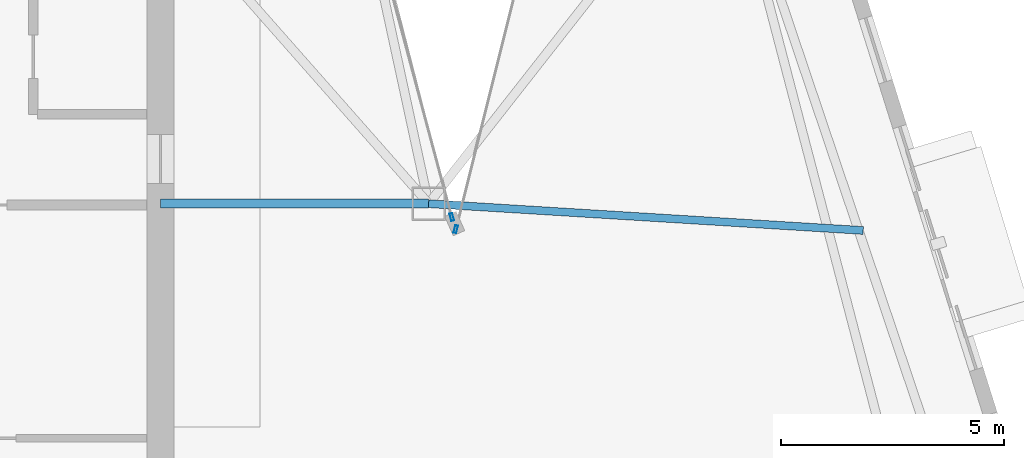
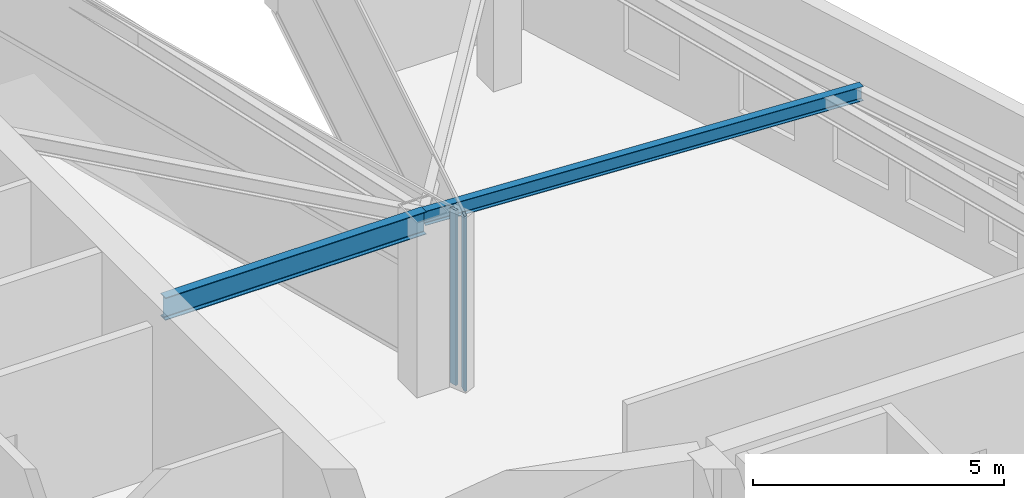
# One storey, part 10 of 25: 2 beams, 2 members, 2 elements without a shape of their own.
"""IFC4 building model written with IfcOpenShell, lengths in metres."""

from ifc_helpers import new_model, si_unit, direction, frame, origin, origin_2d, place, context, subcontext, project, spatial, hollow_rectangle, i_section, extrude, material, layer, layer_set, material_profile, profile_set, type_object, element, aggregate, save


model = new_model("IFC4")

# Units and contexts
model_context = context("Model", 3, precision=1e-05, world=origin(), true_north=direction((0.0, 1.0)))
body_context = subcontext(model_context, "Body", "Model", "MODEL_VIEW")
ifc_project = project(units=[si_unit("LENGTHUNIT", "METRE"), si_unit("AREAUNIT", "SQUARE_METRE"), si_unit("VOLUMEUNIT", "CUBIC_METRE"), si_unit("PLANEANGLEUNIT", "RADIAN"), si_unit("MASSUNIT", "GRAM", prefix="KILO")], contexts=[model_context])

# Site, building, storey
site_placement = place(None, origin())
site = spatial("IfcSite", under=ifc_project, at=site_placement, CompositionType="ELEMENT")
building_placement = place(site_placement, origin())
building = spatial("IfcBuilding", under=site, at=building_placement, Name="Calvorn Quay Hotel", CompositionType="ELEMENT")
storey_placement = place(building_placement, frame((0.0, 0.0, 311.5)))
storey = spatial("IfcBuildingStorey", under=building, at=storey_placement, Name="L77", CompositionType="ELEMENT", Elevation=311.5)

# Beams
ifc_material_1 = material(Name="Steel Q355B", Category="steel")
ifc_material_profile_1 = material_profile(ifc_material_1, i_section(OverallWidth=0.199951171875, OverallDepth=0.550048828125, WebThickness=0.010009765625, FlangeThickness=0.01611328125, FilletRadius=0.01806640625, at=origin_2d()), Name="HN550x200x10x16")
ifc_profile_set_1 = profile_set([ifc_material_profile_1], Name="Steel Q355B")
beam_type_1 = type_object("IfcBeamType", Name="BM-GIRD-UPP", PredefinedType="BEAM", material=ifc_profile_set_1)
beam_1_placement = place(storey_placement, frame((21.0, 25.0, 3.965087890625), z_axis=(-1.0, 0.0, 0.0), x_axis=(0.0, -1.0, 0.0)))
element("IfcBeam", 1, at=beam_1_placement, inside=storey, type_object=beam_type_1, Name="Beam BG-L77-W7", PredefinedType="BEAM", context=body_context, shape_type="SweptSolid", body=[
    extrude(i_section(OverallWidth=0.199951171875, OverallDepth=0.550048828125, WebThickness=0.010009765625, FlangeThickness=0.01611328125, FilletRadius=0.01806640625, at=origin_2d()), origin(), (0.0, 0.0, 1.0), 6.0),
])
ifc_material_2 = material(Name="Steel Q355B", Category="steel")
ifc_material_profile_2 = material_profile(ifc_material_2, i_section(OverallWidth=0.175048828125, OverallDepth=0.35009765625, WebThickness=0.007080078125, FlangeThickness=0.010986328125, FilletRadius=0.013916015625, at=origin_2d()), Name="HN350x175x7x11")
ifc_profile_set_2 = profile_set([ifc_material_profile_2], Name="Steel Q355B")
beam_type_2 = type_object("IfcBeamType", Name="BM-JOIST-SEC", PredefinedType="JOIST", material=ifc_profile_set_2)
beam_2_placement = place(storey_placement, frame((21.0, 25.0, 4.06494140625), z_axis=(0.998102359561, -0.061576617635, 0.0), x_axis=(0.061576617635, 0.998102359561, 0.0)))
element("IfcBeam", 2, at=beam_2_placement, inside=storey, type_object=beam_type_2, Name="Beam BJ-L77-E3", PredefinedType="JOIST", context=body_context, shape_type="SweptSolid", body=[
    extrude(i_section(OverallWidth=0.175048828125, OverallDepth=0.35009765625, WebThickness=0.007080078125, FlangeThickness=0.010986328125, FilletRadius=0.013916015625, at=origin_2d()), origin(), (0.0, 0.0, 1.0), 9.74560546875),
])

# Curtain wall, member
ifc_material_3 = material(Name="Champagne Bronze Anodised Aluminium and Low-E Glass", Category="aluminium")
ifc_layer = layer(ifc_material_3, 0.219970703125)
ifc_layer_set = layer_set([ifc_layer], Name="CW-SYS-Z4")
curtain_wall_type = type_object("IfcCurtainWallType", Name="CW-SYS-Z4", PredefinedType="NOTDEFINED", material=ifc_layer_set)
curtain_wall_1_placement = place(storey_placement, origin())
curtain_wall_1 = element("IfcCurtainWall", 3, at=curtain_wall_1_placement, inside=storey, type_object=curtain_wall_type, Name="Inner Court Curtain Wall L77-NE1", PredefinedType="NOTDEFINED")
ifc_material_4 = material(Name="Champagne Bronze Anodised Aluminium 6063-T6", Category="aluminium")
ifc_material_profile_3 = material_profile(ifc_material_4, hollow_rectangle(XDim=0.06494140625, YDim=0.169921875, WallThickness=0.00341796875, at=origin_2d()), Name="ALU-M170x65x3.5")
ifc_profile_set_3 = profile_set([ifc_material_profile_3], Name="Champagne Bronze Anodised Aluminium 6063-T6")
member_type = type_object("IfcMemberType", Name="CW-SYS-Z4-MUL", PredefinedType="MULLION", material=ifc_profile_set_3)
member_1_placement = place(storey_placement, frame((21.607177734375, 24.42919921875, 0.0), z_axis=(0.0, 0.0, 1.0), x_axis=(0.970142500145, -0.242535625038, 0.0)))
member_1 = element("IfcMember", 4, at=member_1_placement, type_object=member_type, Name="CW-L77-NE1 mullion 2", PredefinedType="MULLION", context=body_context, shape_type="SweptSolid", body=[
    extrude(hollow_rectangle(XDim=0.06494140625, YDim=0.169921875, WallThickness=0.00341796875, at=origin_2d()), origin(), (0.0, 0.0, 1.0), 4.260009765625),
])
aggregate(curtain_wall_1, [member_1])

curtain_wall_2_placement = place(storey_placement, origin())
curtain_wall_2 = element("IfcCurtainWall", 5, at=curtain_wall_2_placement, inside=storey, type_object=curtain_wall_type, Name="Inner Court Curtain Wall L77-IC1", PredefinedType="NOTDEFINED")
member_2_placement = place(storey_placement, frame((21.520263671875, 24.698974609375, 0.0), z_axis=(0.0, 0.0, 1.0), x_axis=(-0.96593652056, -0.25877913024, 0.0)))
member_2 = element("IfcMember", 6, at=member_2_placement, type_object=member_type, Name="CW-L77-IC1 mullion 1", PredefinedType="MULLION", context=body_context, shape_type="SweptSolid", body=[
    extrude(hollow_rectangle(XDim=0.06494140625, YDim=0.169921875, WallThickness=0.00341796875, at=origin_2d()), origin(), (0.0, 0.0, 1.0), 4.260009765625),
])
aggregate(curtain_wall_2, [member_2])

save(model, "model.ifc")
